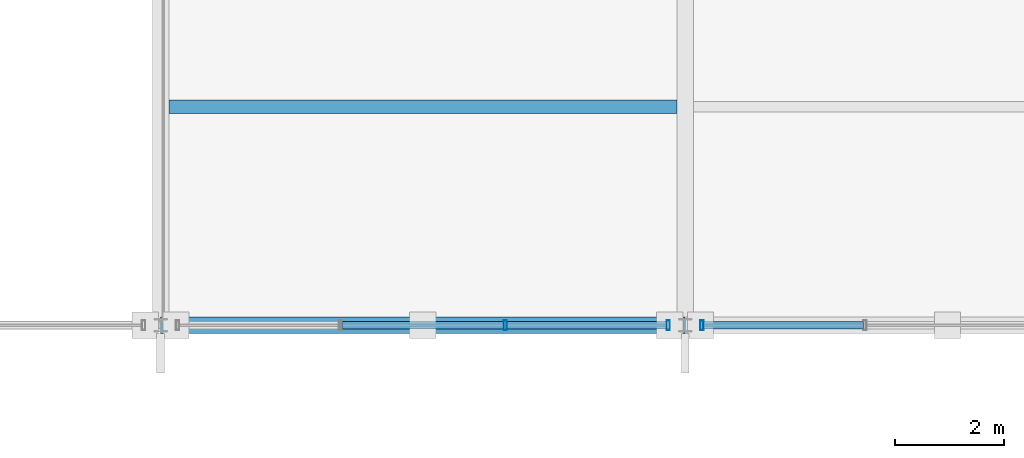
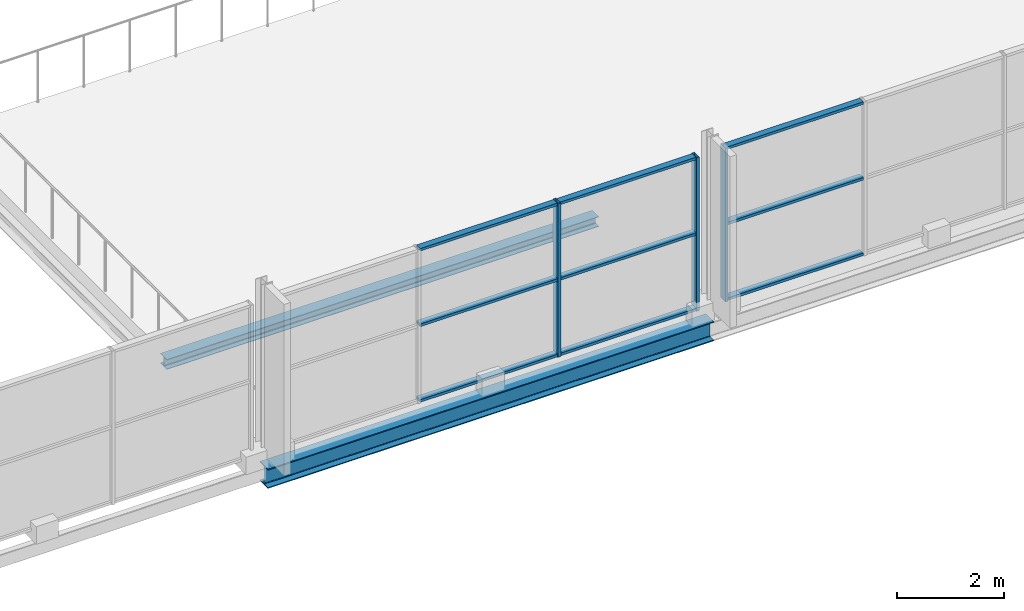
# One storey, part 24 of 117: 12 members, 2 beams, 2 elements without a shape of their own.
"""IFC4 building model written with IfcOpenShell, lengths in metres."""

from ifc_helpers import new_model, si_unit, direction, frame, origin, origin_2d, place, context, subcontext, project, spatial, hollow_rectangle, i_section, extrude, material, material_profile, profile_set, type_object, element, aggregate, save


model = new_model("IFC4")

# Units and contexts
model_context = context("Model", 3, precision=1e-05, world=origin(), true_north=direction((0.0, 1.0)))
body_context = subcontext(model_context, "Body", "Model", "MODEL_VIEW")
ifc_project = project(units=[si_unit("LENGTHUNIT", "METRE"), si_unit("AREAUNIT", "SQUARE_METRE"), si_unit("VOLUMEUNIT", "CUBIC_METRE"), si_unit("PLANEANGLEUNIT", "RADIAN"), si_unit("MASSUNIT", "GRAM", prefix="KILO")], contexts=[model_context])

# Site, building, storey
site_placement = place(None, origin())
site = spatial("IfcSite", under=ifc_project, at=site_placement, CompositionType="ELEMENT")
building_placement = place(site_placement, origin())
building = spatial("IfcBuilding", under=site, at=building_placement, Name="Merenkruunu Market Hall", CompositionType="ELEMENT")
storey_placement = place(building_placement, frame((0.0, 0.0, 10.199951171875)))
storey = spatial("IfcBuildingStorey", under=building, at=storey_placement, Name="L02", CompositionType="ELEMENT", Elevation=10.199951171875)

# Curtain wall, members
ifc_material_1 = material(Name="Powder-coated aluminium", Category="aluminium")
curtain_wall_type = type_object("IfcCurtainWallType", Name="Glazed Curtain Wall CW10", PredefinedType="USERDEFINED", material=ifc_material_1)
curtain_wall_1_placement = place(storey_placement, origin())
curtain_wall_1 = element("IfcCurtainWall", 1, at=curtain_wall_1_placement, inside=storey, type_object=curtain_wall_type, Name="CW-L02-CWM02-027", ObjectType="GLAZED_FACADE", PredefinedType="USERDEFINED")
ifc_material_profile_1 = material_profile(ifc_material_1, hollow_rectangle(XDim=0.06005859375, YDim=0.179931640625, WallThickness=0.00390625, at=origin_2d()), Name="ALU 60x180x4")
ifc_profile_set_1 = profile_set([ifc_material_profile_1], Name="Powder-coated aluminium")
member_type_1 = type_object("IfcMemberType", Name="Curtain Wall Mullion CWM02", PredefinedType="MULLION", material=ifc_profile_set_1)
member_1_placement = place(storey_placement, frame((28.489990234375, 15.60009765625, 0.0), z_axis=(0.0, 0.0, 1.0), x_axis=(-1.0, 0.0, 0.0)))
member_1 = element("IfcMember", 2, at=member_1_placement, type_object=member_type_1, Name="CW10 mullion 1", PredefinedType="MULLION", context=body_context, shape_type="SweptSolid", body=[
    extrude(hollow_rectangle(XDim=0.06005859375, YDim=0.179931640625, WallThickness=0.00390625, at=origin_2d()), origin(), (0.0, 0.0, 1.0), 3.5),
])
member_2_placement = place(storey_placement, frame((25.506591796875, 15.60009765625, 0.0), z_axis=(0.0, 0.0, 1.0), x_axis=(-1.0, 0.0, 0.0)))
member_2 = element("IfcMember", 3, at=member_2_placement, type_object=member_type_1, Name="CW10 mullion 2", PredefinedType="MULLION", context=body_context, shape_type="SweptSolid", body=[
    extrude(hollow_rectangle(XDim=0.06005859375, YDim=0.179931640625, WallThickness=0.00390625, at=origin_2d()), origin(), (0.0, 0.0, 1.0), 3.5),
])

# Curtain wall, member
curtain_wall_2_placement = place(storey_placement, origin())
curtain_wall_2 = element("IfcCurtainWall", 4, at=curtain_wall_2_placement, inside=storey, type_object=curtain_wall_type, Name="CW-L02-CWM02-030", ObjectType="GLAZED_FACADE", PredefinedType="USERDEFINED")
member_3_placement = place(storey_placement, frame((29.110107421875, 15.60009765625, 0.0), z_axis=(0.0, 0.0, 1.0), x_axis=(-1.0, 0.0, 0.0)))
member_3 = element("IfcMember", 5, at=member_3_placement, type_object=member_type_1, Name="CW10 mullion 4", PredefinedType="MULLION", context=body_context, shape_type="SweptSolid", body=[
    extrude(hollow_rectangle(XDim=0.06005859375, YDim=0.179931640625, WallThickness=0.00390625, at=origin_2d()), origin(), (0.0, 0.0, 1.0), 3.5),
])

# Member
ifc_material_profile_2 = material_profile(ifc_material_1, hollow_rectangle(XDim=0.06005859375, YDim=0.139892578125, WallThickness=0.00390625, at=origin_2d()), Name="ALU 60x140x4")
ifc_profile_set_2 = profile_set([ifc_material_profile_2], Name="Powder-coated aluminium")
member_type_2 = type_object("IfcMemberType", Name="Curtain Wall Transom CWT02", PredefinedType="USERDEFINED", material=ifc_profile_set_2)
member_4_placement = place(storey_placement, frame((28.4599609375, 15.60009765625, 0.030029296875), z_axis=(-1.0, 0.0, 0.0), x_axis=(0.0, 0.0, 1.0)))
member_4 = element("IfcMember", 6, at=member_4_placement, type_object=member_type_2, Name="CW10 transom 1.1", ObjectType="TRANSOM", PredefinedType="USERDEFINED", context=body_context, shape_type="SweptSolid", body=[
    extrude(hollow_rectangle(XDim=0.06005859375, YDim=0.139892578125, WallThickness=0.00390625, at=origin_2d()), origin(), (0.0, 0.0, 1.0), 2.92333984375),
])

member_5_placement = place(storey_placement, frame((28.4599609375, 15.60009765625, 1.75), z_axis=(-1.0, 0.0, 0.0), x_axis=(0.0, 0.0, 1.0)))
member_5 = element("IfcMember", 7, at=member_5_placement, type_object=member_type_2, Name="CW10 transom 1.2", ObjectType="TRANSOM", PredefinedType="USERDEFINED", context=body_context, shape_type="SweptSolid", body=[
    extrude(hollow_rectangle(XDim=0.06005859375, YDim=0.139892578125, WallThickness=0.00390625, at=origin_2d()), origin(), (0.0, 0.0, 1.0), 2.92333984375),
])

member_6_placement = place(storey_placement, frame((28.4599609375, 15.60009765625, 3.469970703125), z_axis=(-1.0, 0.0, 0.0), x_axis=(0.0, 0.0, 1.0)))
member_6 = element("IfcMember", 8, at=member_6_placement, type_object=member_type_2, Name="CW10 transom 1.3", ObjectType="TRANSOM", PredefinedType="USERDEFINED", context=body_context, shape_type="SweptSolid", body=[
    extrude(hollow_rectangle(XDim=0.06005859375, YDim=0.139892578125, WallThickness=0.00390625, at=origin_2d()), origin(), (0.0, 0.0, 1.0), 2.92333984375),
])

member_7_placement = place(storey_placement, frame((25.4765625, 15.60009765625, 0.030029296875), z_axis=(-1.0, 0.0, 0.0), x_axis=(0.0, 0.0, 1.0)))
member_7 = element("IfcMember", 9, at=member_7_placement, type_object=member_type_2, Name="CW10 transom 2.1", ObjectType="TRANSOM", PredefinedType="USERDEFINED", context=body_context, shape_type="SweptSolid", body=[
    extrude(hollow_rectangle(XDim=0.06005859375, YDim=0.139892578125, WallThickness=0.00390625, at=origin_2d()), origin(), (0.0, 0.0, 1.0), 2.953125),
])

member_8_placement = place(storey_placement, frame((25.4765625, 15.60009765625, 1.75), z_axis=(-1.0, 0.0, 0.0), x_axis=(0.0, 0.0, 1.0)))
member_8 = element("IfcMember", 10, at=member_8_placement, type_object=member_type_2, Name="CW10 transom 2.2", ObjectType="TRANSOM", PredefinedType="USERDEFINED", context=body_context, shape_type="SweptSolid", body=[
    extrude(hollow_rectangle(XDim=0.06005859375, YDim=0.139892578125, WallThickness=0.00390625, at=origin_2d()), origin(), (0.0, 0.0, 1.0), 2.953125),
])

member_9_placement = place(storey_placement, frame((25.4765625, 15.60009765625, 3.469970703125), z_axis=(-1.0, 0.0, 0.0), x_axis=(0.0, 0.0, 1.0)))
member_9 = element("IfcMember", 11, at=member_9_placement, type_object=member_type_2, Name="CW10 transom 2.3", ObjectType="TRANSOM", PredefinedType="USERDEFINED", context=body_context, shape_type="SweptSolid", body=[
    extrude(hollow_rectangle(XDim=0.06005859375, YDim=0.139892578125, WallThickness=0.00390625, at=origin_2d()), origin(), (0.0, 0.0, 1.0), 2.953125),
])

aggregate(curtain_wall_1, [member_1, member_2, member_4, member_5, member_6, member_7, member_8, member_9])

member_10_placement = place(storey_placement, frame((32.063232421875, 15.60009765625, 0.030029296875), z_axis=(-1.0, 0.0, 0.0), x_axis=(0.0, 0.0, 1.0)))
member_10 = element("IfcMember", 12, at=member_10_placement, type_object=member_type_2, Name="CW10 transom 3.1", ObjectType="TRANSOM", PredefinedType="USERDEFINED", context=body_context, shape_type="SweptSolid", body=[
    extrude(hollow_rectangle(XDim=0.06005859375, YDim=0.139892578125, WallThickness=0.00390625, at=origin_2d()), origin(), (0.0, 0.0, 1.0), 2.92333984375),
])

member_11_placement = place(storey_placement, frame((32.063232421875, 15.60009765625, 1.75), z_axis=(-1.0, 0.0, 0.0), x_axis=(0.0, 0.0, 1.0)))
member_11 = element("IfcMember", 13, at=member_11_placement, type_object=member_type_2, Name="CW10 transom 3.2", ObjectType="TRANSOM", PredefinedType="USERDEFINED", context=body_context, shape_type="SweptSolid", body=[
    extrude(hollow_rectangle(XDim=0.06005859375, YDim=0.139892578125, WallThickness=0.00390625, at=origin_2d()), origin(), (0.0, 0.0, 1.0), 2.92333984375),
])

member_12_placement = place(storey_placement, frame((32.063232421875, 15.60009765625, 3.469970703125), z_axis=(-1.0, 0.0, 0.0), x_axis=(0.0, 0.0, 1.0)))
member_12 = element("IfcMember", 14, at=member_12_placement, type_object=member_type_2, Name="CW10 transom 3.3", ObjectType="TRANSOM", PredefinedType="USERDEFINED", context=body_context, shape_type="SweptSolid", body=[
    extrude(hollow_rectangle(XDim=0.06005859375, YDim=0.139892578125, WallThickness=0.00390625, at=origin_2d()), origin(), (0.0, 0.0, 1.0), 2.92333984375),
])

aggregate(curtain_wall_2, [member_3, member_10, member_11, member_12])

# Beams
ifc_material_2 = material(Name="Steel S355J2", Category="steel")
ifc_material_profile_3 = material_profile(ifc_material_2, i_section(OverallWidth=0.300048828125, OverallDepth=0.43994140625, WebThickness=0.011474609375, FlangeThickness=0.02099609375, FilletRadius=0.027099609375, at=origin_2d()), Name="HEA 450")
ifc_profile_set_3 = profile_set([ifc_material_profile_3], Name="Steel S355J2")
beam_type_1 = type_object("IfcBeamType", Name="Primary Floor Girder B07", PredefinedType="BEAM", material=ifc_profile_set_3)
beam_1_placement = place(storey_placement, frame((19.199951171875, 15.60009765625, -0.530029296875), z_axis=(1.0, 0.0, 0.0), x_axis=(0.0, 1.0, 0.0)))
element("IfcBeam", 15, at=beam_1_placement, inside=storey, type_object=beam_type_1, Name="BM-L02-B07-0744", PredefinedType="BEAM", context=body_context, shape_type="SweptSolid", body=[
    extrude(i_section(OverallWidth=0.300048828125, OverallDepth=0.43994140625, WebThickness=0.011474609375, FlangeThickness=0.02099609375, FilletRadius=0.027099609375, at=origin_2d()), origin(), (0.0, 0.0, 1.0), 9.60009765625),
])
ifc_material_profile_4 = material_profile(ifc_material_2, i_section(OverallWidth=0.239990234375, OverallDepth=0.22998046875, WebThickness=0.007568359375, FlangeThickness=0.011962890625, FilletRadius=0.02099609375, at=origin_2d()), Name="HEA 240")
ifc_profile_set_4 = profile_set([ifc_material_profile_4], Name="Steel S355J2")
beam_type_2 = type_object("IfcBeamType", Name="Secondary Floor Joist J06", PredefinedType="JOIST", material=ifc_profile_set_4)
beam_2_placement = place(storey_placement, frame((19.35302734375, 19.60009765625, -0.425048828125), z_axis=(1.0, 0.0, 0.0), x_axis=(0.0, 1.0, 0.0)))
element("IfcBeam", 16, at=beam_2_placement, inside=storey, type_object=beam_type_2, Name="BM-L02-J06-0816", PredefinedType="JOIST", context=body_context, shape_type="SweptSolid", body=[
    extrude(i_section(OverallWidth=0.239990234375, OverallDepth=0.22998046875, WebThickness=0.007568359375, FlangeThickness=0.011962890625, FilletRadius=0.02099609375, at=origin_2d()), origin(), (0.0, 0.0, 1.0), 9.2939453125),
])

save(model, "model.ifc")
